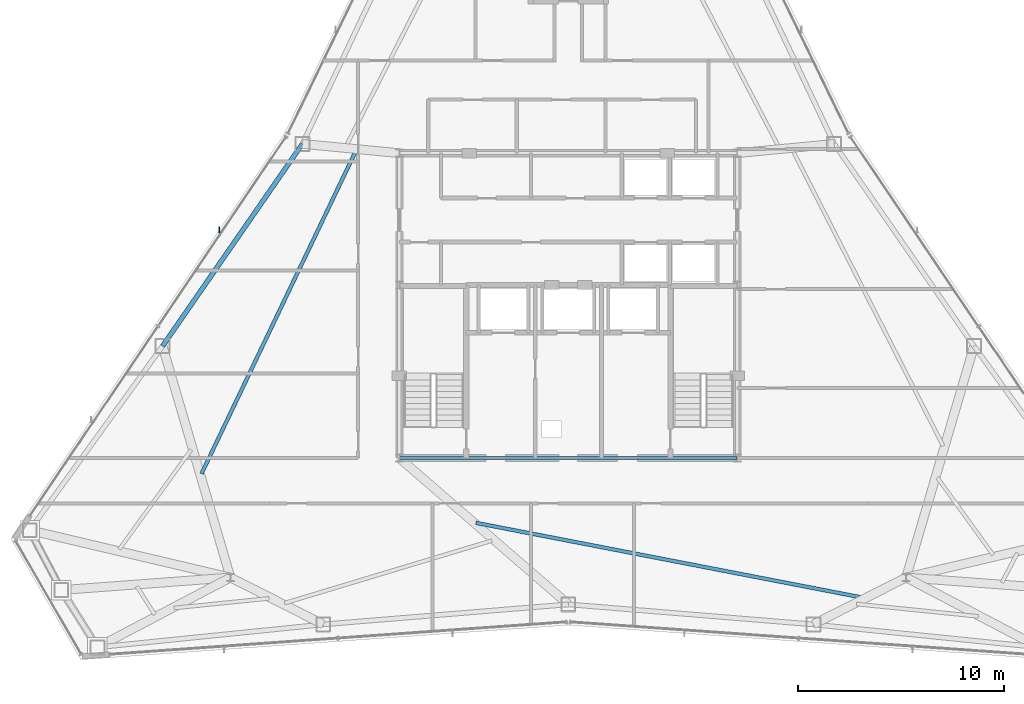
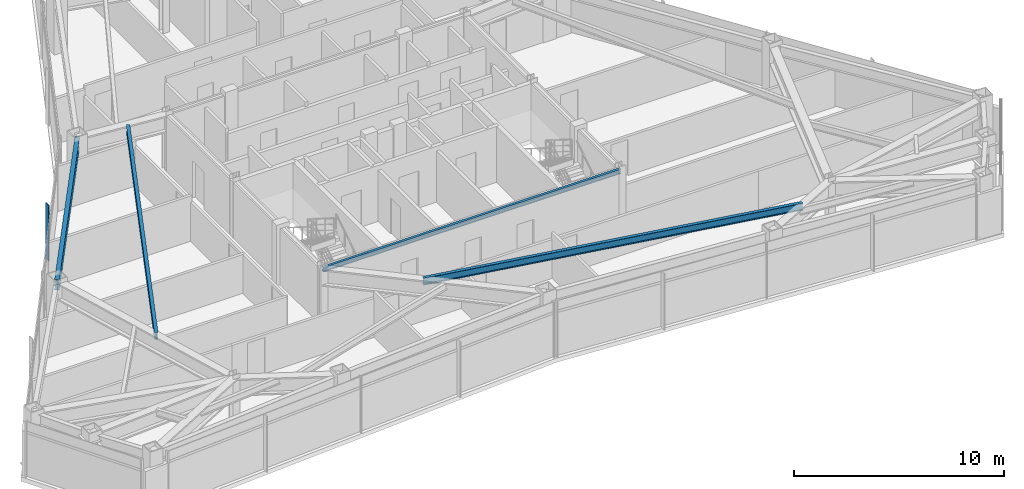
# One storey, part 4 of 12: 4 beams, 1 member, 1 element without a shape of its own.
"""IFC4 building model written with IfcOpenShell, lengths in metres."""

from ifc_helpers import new_model, si_unit, direction, frame, origin, origin_2d, place, context, subcontext, project, spatial, rectangle, i_section, extrude, source, transform, mapped, material, layer, layer_set, material_profile, profile_set, type_object, type_shapes, element, aggregate, save


model = new_model("IFC4")

# Units and contexts
model_context = context("Model", 3, precision=1e-05, world=origin(), true_north=direction((0.0, 1.0)))
body_context = subcontext(model_context, "Body", "Model", "MODEL_VIEW")
ifc_project = project(units=[si_unit("LENGTHUNIT", "METRE"), si_unit("AREAUNIT", "SQUARE_METRE"), si_unit("VOLUMEUNIT", "CUBIC_METRE"), si_unit("PLANEANGLEUNIT", "RADIAN"), si_unit("MASSUNIT", "GRAM", prefix="KILO")], contexts=[model_context])

# Site, building, storey
site_placement = place(None, origin())
site = spatial("IfcSite", under=ifc_project, at=site_placement, CompositionType="ELEMENT")
building_placement = place(site_placement, origin())
building = spatial("IfcBuilding", under=site, at=building_placement, Name="Varakhsha Concourse Tower", CompositionType="ELEMENT")
storey_placement = place(building_placement, frame((0.0, 0.0, 211.89990234375)))
storey = spatial("IfcBuildingStorey", under=building, at=storey_placement, Name="L60", CompositionType="ELEMENT", Elevation=211.89990234375)

# Beams
ifc_material_1 = material(Name="Structural Steel ASTM A992 Grade 50", Category="steel")
ifc_material_profile_1 = material_profile(ifc_material_1, i_section(OverallWidth=0.177978515625, OverallDepth=0.406982421875, WebThickness=0.008056640625, FlangeThickness=0.012939453125, at=origin_2d()), Name="W16X40")
ifc_profile_set_1 = profile_set([ifc_material_profile_1], Name="Structural Steel ASTM A992 Grade 50")
beam_type_1 = type_object("IfcBeamType", Name="BM-JST-W16X40", PredefinedType="JOIST", material=ifc_profile_set_1)
beam_1_placement = place(storey_placement, frame((29.681884765625, 31.29931640625, 3.046630859375), z_axis=(-0.431342995849, -0.902188018061, 0.0), x_axis=(0.902188018061, -0.431342995849, 0.0)))
element("IfcBeam", 1, at=beam_1_placement, inside=storey, type_object=beam_type_1, Name="BM-TJST-L60-05", PredefinedType="JOIST", context=body_context, shape_type="SweptSolid", body=[
    extrude(i_section(OverallWidth=0.177978515625, OverallDepth=0.406982421875, WebThickness=0.008056640625, FlangeThickness=0.012939453125, at=origin_2d()), origin(), (0.0, 0.0, 1.0), 17.354736328125),
])
beam_2_placement = place(storey_placement, frame((35.51611328125, 13.25390625, 3.046630859375), z_axis=(0.981811534661, -0.189858132318, 0.0), x_axis=(0.189858132318, 0.981811534661, 0.0)))
element("IfcBeam", 2, at=beam_2_placement, inside=storey, type_object=beam_type_1, Name="BM-TJST-L60-11", PredefinedType="JOIST", context=body_context, shape_type="SweptSolid", body=[
    extrude(i_section(OverallWidth=0.177978515625, OverallDepth=0.406982421875, WebThickness=0.008056640625, FlangeThickness=0.012939453125, at=origin_2d()), origin(), (0.0, 0.0, 1.0), 19.143310546875),
])
ifc_material_profile_2 = material_profile(ifc_material_1, i_section(OverallWidth=0.14697265625, OverallDepth=0.261962890625, WebThickness=0.007080078125, FlangeThickness=0.010986328125, at=origin_2d()), Name="W10X26")
ifc_profile_set_2 = profile_set([ifc_material_profile_2], Name="Structural Steel ASTM A992 Grade 50")
beam_type_2 = type_object("IfcBeamType", Name="BM-LNTL-W10X26", PredefinedType="LINTEL", material=ifc_profile_set_2)
beam_3_placement = place(storey_placement, frame((31.800048828125, 16.39990234375, 3.119140625), z_axis=(1.0, 0.0, 0.0), x_axis=(0.0, 1.0, 0.0)))
element("IfcBeam", 3, at=beam_3_placement, inside=storey, type_object=beam_type_2, Name="BM-TCORE-L60-CS", PredefinedType="LINTEL", context=body_context, shape_type="SweptSolid", body=[
    extrude(i_section(OverallWidth=0.14697265625, OverallDepth=0.261962890625, WebThickness=0.007080078125, FlangeThickness=0.010986328125, at=origin_2d()), origin(), (0.0, 0.0, 1.0), 16.39990234375),
])
ifc_material_profile_3 = material_profile(ifc_material_1, i_section(OverallWidth=0.22900390625, OverallDepth=0.612060546875, WebThickness=0.011962890625, FlangeThickness=0.02001953125, at=origin_2d()), Name="W24X84")
ifc_profile_set_3 = profile_set([ifc_material_profile_3], Name="Structural Steel ASTM A992 Grade 50")
beam_type_3 = type_object("IfcBeamType", Name="BM-SPAN-W24X84", PredefinedType="SPANDREL", material=ifc_profile_set_3)
beam_4_placement = place(storey_placement, frame((27.09375, 31.651611328125, 2.944091796875), z_axis=(-0.568940907467, -0.822378406703, 0.0), x_axis=(0.822378406703, -0.568940907467, 0.0)))
element("IfcBeam", 4, at=beam_4_placement, inside=storey, type_object=beam_type_3, Name="BM-SPAN-L60-05", PredefinedType="SPANDREL", context=body_context, shape_type="SweptSolid", body=[
    extrude(i_section(OverallWidth=0.22900390625, OverallDepth=0.612060546875, WebThickness=0.011962890625, FlangeThickness=0.02001953125, at=origin_2d()), origin(), (0.0, 0.0, 1.0), 11.9384765625),
])

# Curtain wall, member
ifc_material_2 = material(Name="Anodised Bronze Architectural Aluminium AA 6063-T6", Category="aluminium")
ifc_layer = layer(ifc_material_2, 0.199951171875, Name="CW-SYS-05")
ifc_layer_set = layer_set([ifc_layer], Name="Anodised Bronze Architectural Aluminium AA 6063-T6")
curtain_wall_type = type_object("IfcCurtainWallType", Name="CW-SYS-05", PredefinedType="NOTDEFINED", material=ifc_layer_set)
curtain_wall_placement = place(storey_placement, origin())
curtain_wall = element("IfcCurtainWall", 5, at=curtain_wall_placement, inside=storey, type_object=curtain_wall_type, Name="L60 Crystal Curtain Wall F3", PredefinedType="NOTDEFINED")
ifc_material_profile_4 = material_profile(ifc_material_2, rectangle(XDim=0.054931640625, YDim=0.300048828125, at=origin_2d()), Name="FIN-BRZ-300")
ifc_profile_set_4 = profile_set([ifc_material_profile_4], Name="Anodised Bronze Architectural Aluminium AA 6063-T6")
member_type = type_object("IfcMemberType", Name="FIN-BRZ-300", PredefinedType="USERDEFINED", material=ifc_profile_set_4)
shared_shape = source(origin(), body_context, "Body", "SweptSolid", [
    extrude(rectangle(XDim=0.054931640625, YDim=0.300048828125, at=origin_2d()), origin(), (0.0, 0.0, 1.0), 3.25),
])
type_shapes(member_type, [shared_shape])
member_placement = place(storey_placement, frame((23.055908203125, 27.4892578125, 0.0), z_axis=(0.0, 0.0, 1.0), x_axis=(1.0, 0.0, 0.0)))
member = element("IfcMember", 6, at=member_placement, type_object=member_type, Name="L60 Anodised Bronze Solar Fin F3-2", ObjectType="SOLAR FIN", PredefinedType="USERDEFINED", context=body_context, shape_type="MappedRepresentation", body=[
    mapped(shared_shape, transform((0.0, 0.0, 0.0), scale=1.0)),
])
aggregate(curtain_wall, [member])

save(model, "model.ifc")
